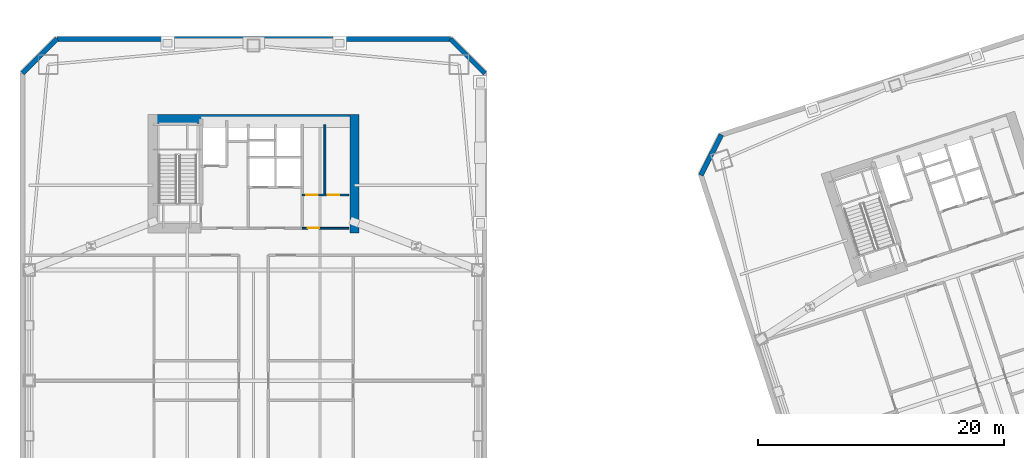
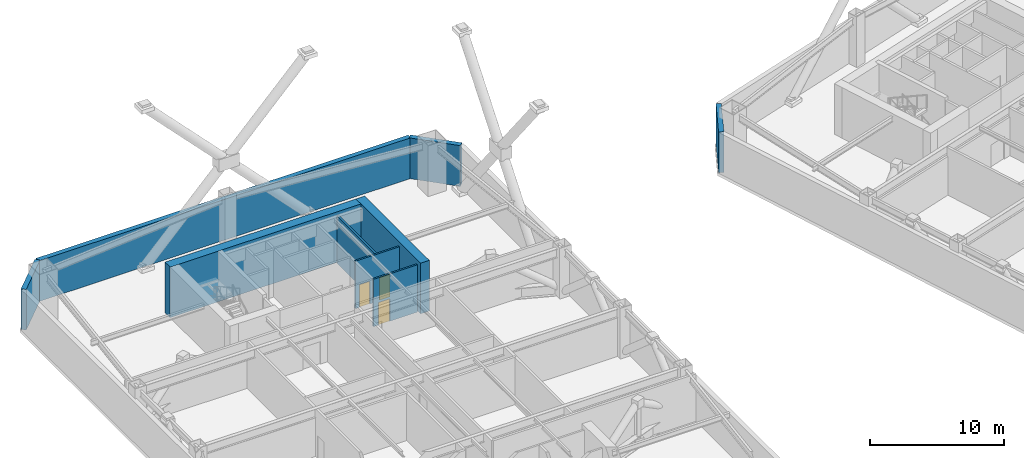
# One storey, part 14 of 19: 9 walls, 3 doors, 3 openings.
"""IFC4 building model written with IfcOpenShell, lengths in metres."""

from ifc_helpers import new_model, si_unit, direction, frame, frame_2d, origin, place, context, subcontext, project, spatial, rectangle, extrude, material, layer, layer_set, type_object, element, fill, save


model = new_model("IFC4")

# Units and contexts
model_context = context("Model", 3, precision=1e-05, world=origin(), true_north=direction((0.0, 1.0)))
body_context = subcontext(model_context, "Body", "Model", "MODEL_VIEW")
ifc_project = project(units=[si_unit("LENGTHUNIT", "METRE"), si_unit("AREAUNIT", "SQUARE_METRE"), si_unit("VOLUMEUNIT", "CUBIC_METRE"), si_unit("PLANEANGLEUNIT", "RADIAN"), si_unit("MASSUNIT", "GRAM", prefix="KILO")], contexts=[model_context])

# Site, building, storey
site_placement = place(None, origin())
site = spatial("IfcSite", under=ifc_project, at=site_placement, CompositionType="ELEMENT")
building_placement = place(site_placement, origin())
building = spatial("IfcBuilding", under=site, at=building_placement, Name="Qiaolan Cultural Towers", CompositionType="ELEMENT")
storey_placement = place(building_placement, frame((0.0, 0.0, 92.0)))
storey = spatial("IfcBuildingStorey", under=building, at=storey_placement, Name="L23", CompositionType="ELEMENT", Elevation=92.0)

# Walls
ifc_material_1 = material(Name="Concrete C60", Category="concrete")
ifc_layer_1 = layer(ifc_material_1, 0.75)
ifc_layer_set_1 = layer_set([ifc_layer_1], Name="Concrete C60")
wall_type_1 = type_object("IfcWallType", Name="WL-CORE-750", PredefinedType="SHEAR", material=ifc_layer_set_1)
wall_1_placement = place(storey_placement, frame((21.425048828125, 55.280029296875, 0.0), z_axis=(0.0, 0.0, 1.0), x_axis=(1.0, 0.0, 0.0)))
element("IfcWall", 1, at=wall_1_placement, inside=storey, type_object=wall_type_1, Name="L23 T1-CN Outer Core Shear Wall", PredefinedType="SHEAR", context=body_context, shape_type="SweptSolid", body=[
    extrude(rectangle(XDim=17.14990234375, YDim=0.75, at=frame_2d((8.574951171875, 0.0))), origin(), (0.0, 0.0, 1.0), 4.60009765625),
])
wall_2_placement = place(storey_placement, frame((38.199951171875, 46.02490234375, 0.0), z_axis=(0.0, 0.0, 1.0), x_axis=(0.0, 1.0, 0.0)))
element("IfcWall", 2, at=wall_2_placement, inside=storey, type_object=wall_type_1, Name="L23 T1-CN East Core Shear Wall", PredefinedType="SHEAR", context=body_context, shape_type="SweptSolid", body=[
    extrude(rectangle(XDim=9.630126953125, YDim=0.75, at=frame_2d((4.81494140625, 0.0))), origin(), (0.0, 0.0, 1.0), 4.60009765625),
])
ifc_material_2 = material(Name="Precast Concrete C50 Honed Stone Pier", Category="masonry")
ifc_layer_2 = layer(ifc_material_2, 0.39990234375)
ifc_layer_set_2 = layer_set([ifc_layer_2], Name="Precast Concrete C50 Honed Stone Pier")
wall_type_2 = type_object("IfcWallType", Name="WL-EXT-PIER-400", PredefinedType="SOLIDWALL", material=ifc_layer_set_2)
wall_3_placement = place(storey_placement, frame((11.199951171875, 59.0, 0.0), z_axis=(0.0, 0.0, 1.0), x_axis=(0.707106781187, 0.707106781187, 0.0)))
element("IfcWall", 3, at=wall_3_placement, inside=storey, type_object=wall_type_2, Name="L23 West Tower Precast Pier Facade Wall F2", PredefinedType="SOLIDWALL", context=body_context, shape_type="SweptSolid", body=[
    extrude(rectangle(XDim=3.9599609375, YDim=0.39990234375, at=frame_2d((1.97998046875, 0.0))), origin(), (0.0, 0.0, 1.0), 3.699951171875),
])
wall_4_placement = place(storey_placement, frame((14.0, 61.800048828125, 0.0), z_axis=(0.0, 0.0, 1.0), x_axis=(1.0, 0.0, 0.0)))
element("IfcWall", 4, at=wall_4_placement, inside=storey, type_object=wall_type_2, Name="L23 West Tower Precast Pier Facade Wall F3", PredefinedType="SOLIDWALL", context=body_context, shape_type="SweptSolid", body=[
    extrude(rectangle(XDim=32.0, YDim=0.39990234375, at=frame_2d((16.0, 0.0))), origin(), (0.0, 0.0, 1.0), 3.699951171875),
])
wall_5_placement = place(storey_placement, frame((46.0, 61.800048828125, 0.0), z_axis=(0.0, 0.0, 1.0), x_axis=(0.707106781187, -0.707106781187, 0.0)))
element("IfcWall", 5, at=wall_5_placement, inside=storey, type_object=wall_type_2, Name="L23 West Tower Precast Pier Facade Wall F4", PredefinedType="SOLIDWALL", context=body_context, shape_type="SweptSolid", body=[
    extrude(rectangle(XDim=3.9599609375, YDim=0.39990234375, at=frame_2d((1.97998046875, 0.0))), origin(), (0.0, 0.0, 1.0), 3.699951171875),
])
wall_6_placement = place(storey_placement, frame((66.37744140625, 50.718505859375, 0.0), z_axis=(0.0, 0.0, 1.0), x_axis=(0.454026238093, 0.890988313685, 0.0)))
element("IfcWall", 6, at=wall_6_placement, inside=storey, type_object=wall_type_2, Name="L23 East Tower Precast Pier Facade Wall F2", PredefinedType="SOLIDWALL", context=body_context, shape_type="SweptSolid", body=[
    extrude(rectangle(XDim=3.677001953125, YDim=0.39990234375, at=frame_2d((1.83837890625, 0.0))), origin(), (0.0, 0.0, 1.0), 3.699951171875),
])

# Wall, opening, door
ifc_material_3 = material(Name="Autoclaved Aerated Concrete Block B06", Category="concrete")
ifc_layer_3 = layer(ifc_material_3, 0.14990234375)
ifc_layer_set_3 = layer_set([ifc_layer_3], Name="Autoclaved Aerated Concrete Block B06")
wall_type_3 = type_object("IfcWallType", Name="WL-PART-150", PredefinedType="PARTITIONING", material=ifc_layer_set_3)
wall_7_placement = place(storey_placement, frame((33.949951171875, 46.39990234375, 0.0), z_axis=(0.0, 0.0, 1.0), x_axis=(1.0, 0.0, 0.0)))
wall_7 = element("IfcWall", 7, at=wall_7_placement, inside=storey, type_object=wall_type_3, Name="L23 T1-CN Sanitary Core Front Wall", PredefinedType="PARTITIONING", context=body_context, shape_type="SweptSolid", body=[
    extrude(rectangle(XDim=3.800048828125, YDim=0.14990234375, at=frame_2d((1.89990234375, 0.0))), origin(), (0.0, 0.0, 1.0), 4.304931640625),
])
opening_1_placement = place(wall_7_placement, frame((0.449951171875, 0.0, 0.0)))
opening_1 = element("IfcOpeningElement", 8, at=opening_1_placement, cuts=wall_7, Name="Opening ID-05", PredefinedType="OPENING", context=body_context, shape_type="SweptSolid", body=[
    extrude(rectangle(XDim=0.949951171875, YDim=2.050048828125, at=frame_2d((0.47509765625, 1.02490234375))), frame((0.0, 0.0849609375, 0.0), z_axis=(0.0, -1.0, 0.0), x_axis=(1.0, 0.0, 0.0)), (0.0, 0.0, 1.0), 0.169921875),
])
ifc_material_4 = material(Name="Fire-Rated Laminate Accessible Core Door", Category="timber")
door_type_1 = type_object("IfcDoorType", Name="DR-INT-950", OperationType="NOTDEFINED", PredefinedType="DOOR", material=ifc_material_4)
door_1_placement = place(opening_1_placement, origin())
door_1 = element("IfcDoor", 9, at=door_1_placement, inside=storey, type_object=door_type_1, Name="L23 Sanitary Vestibule Door", OperationType="SINGLE_SWING_LEFT", OverallHeight=2.050048828125, OverallWidth=0.949951171875, PredefinedType="DOOR", context=body_context, shape_type="SweptSolid", body=[
    extrude(rectangle(XDim=0.949951171875, YDim=2.050048828125, at=frame_2d((0.47509765625, 1.02490234375))), frame((0.0, 0.02490234375, 0.0), z_axis=(0.0, -1.0, 0.0), x_axis=(1.0, 0.0, 0.0)), (0.0, 0.0, 1.0), 0.050048828125),
])
fill(opening_1, door_1)

# Wall, openings, doors
wall_8_placement = place(storey_placement, frame((33.949951171875, 49.10009765625, 0.0), z_axis=(0.0, 0.0, 1.0), x_axis=(1.0, 0.0, 0.0)))
wall_8 = element("IfcWall", 10, at=wall_8_placement, inside=storey, type_object=wall_type_3, Name="L23 T1-CN Restroom Vestibule Wall", PredefinedType="PARTITIONING", context=body_context, shape_type="SweptSolid", body=[
    extrude(rectangle(XDim=3.800048828125, YDim=0.14990234375, at=frame_2d((1.89990234375, 0.0))), origin(), (0.0, 0.0, 1.0), 4.304931640625),
])
opening_2_placement = place(wall_8_placement, frame((0.35009765625, 0.0, 0.0)))
opening_2 = element("IfcOpeningElement", 11, at=opening_2_placement, cuts=wall_8, Name="Opening ID-06", PredefinedType="OPENING", context=body_context, shape_type="SweptSolid", body=[
    extrude(rectangle(XDim=0.89990234375, YDim=2.050048828125, at=frame_2d((0.449951171875, 1.02490234375))), frame((0.0, 0.0849609375, 0.0), z_axis=(0.0, -1.0, 0.0), x_axis=(1.0, 0.0, 0.0)), (0.0, 0.0, 1.0), 0.169921875),
])
opening_3_placement = place(wall_8_placement, frame((2.10009765625, 0.0, 0.0)))
opening_3 = element("IfcOpeningElement", 12, at=opening_3_placement, cuts=wall_8, Name="Opening ID-06", PredefinedType="OPENING", context=body_context, shape_type="SweptSolid", body=[
    extrude(rectangle(XDim=0.89990234375, YDim=2.050048828125, at=frame_2d((0.449951171875, 1.02490234375))), frame((0.0, 0.0849609375, 0.0), z_axis=(0.0, -1.0, 0.0), x_axis=(1.0, 0.0, 0.0)), (0.0, 0.0, 1.0), 0.169921875),
])
ifc_material_5 = material(Name="Fire-Rated Laminate Core Service Door", Category="timber")
door_type_2 = type_object("IfcDoorType", Name="DR-INT-900", OperationType="NOTDEFINED", PredefinedType="DOOR", material=ifc_material_5)
door_2_placement = place(opening_2_placement, origin())
door_2 = element("IfcDoor", 13, at=door_2_placement, inside=storey, type_object=door_type_2, Name="L23 Men Restroom Door", OperationType="SINGLE_SWING_LEFT", OverallHeight=2.050048828125, OverallWidth=0.89990234375, PredefinedType="DOOR", context=body_context, shape_type="SweptSolid", body=[
    extrude(rectangle(XDim=0.89990234375, YDim=2.050048828125, at=frame_2d((0.449951171875, 1.02490234375))), frame((0.0, 0.02490234375, 0.0), z_axis=(0.0, -1.0, 0.0), x_axis=(1.0, 0.0, 0.0)), (0.0, 0.0, 1.0), 0.050048828125),
])
fill(opening_2, door_2)
door_3_placement = place(opening_3_placement, origin())
door_3 = element("IfcDoor", 14, at=door_3_placement, inside=storey, type_object=door_type_2, Name="L23 Accessible & Women Restroom Door", OperationType="SINGLE_SWING_RIGHT", OverallHeight=2.050048828125, OverallWidth=0.89990234375, PredefinedType="DOOR", context=body_context, shape_type="SweptSolid", body=[
    extrude(rectangle(XDim=0.89990234375, YDim=2.050048828125, at=frame_2d((0.449951171875, 1.02490234375))), frame((0.0, 0.02490234375, 0.0), z_axis=(0.0, -1.0, 0.0), x_axis=(1.0, 0.0, 0.0)), (0.0, 0.0, 1.0), 0.050048828125),
])
fill(opening_3, door_3)

# Wall
wall_9_placement = place(storey_placement, frame((35.800048828125, 49.10009765625, 0.0), z_axis=(0.0, 0.0, 1.0), x_axis=(0.0, 1.0, 0.0)))
element("IfcWall", 15, at=wall_9_placement, inside=storey, type_object=wall_type_3, Name="L23 T1-CN Restroom Divider Wall", PredefinedType="PARTITIONING", context=body_context, shape_type="SweptSolid", body=[
    extrude(rectangle(XDim=5.72998046875, YDim=0.14990234375, at=frame_2d((2.864990234375, 0.0))), origin(), (0.0, 0.0, 1.0), 4.304931640625),
])

save(model, "model.ifc")
